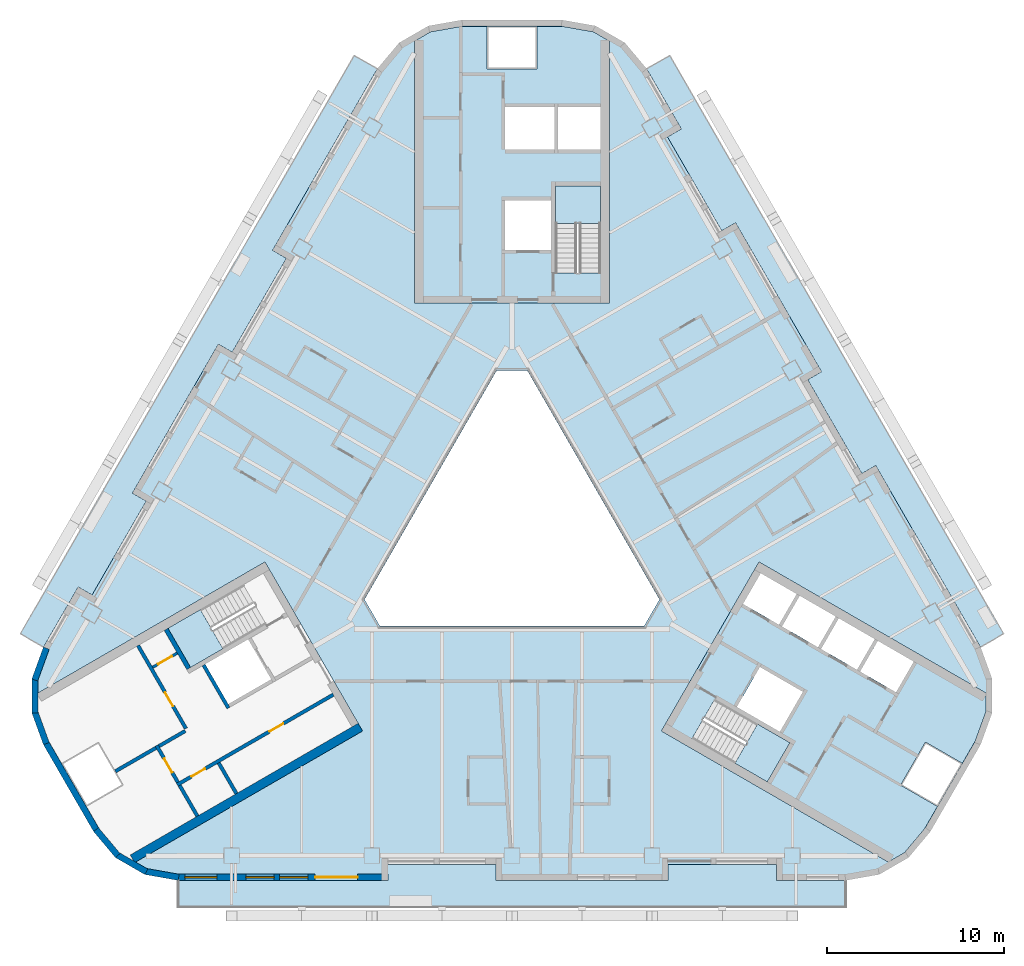
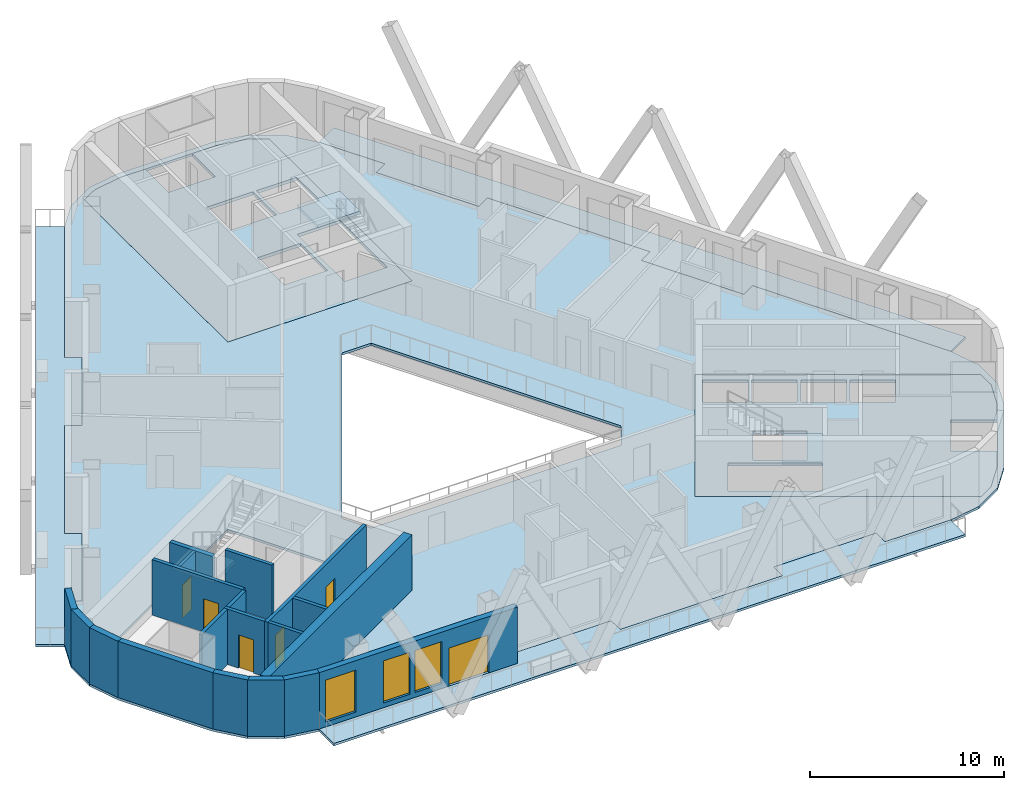
# One storey, part 2 of 14: 19 walls, 9 slabs, 6 doors, 3 windows, 9 openings, 3 elements without a shape of their own.
"""IFC4 building model written with IfcOpenShell, lengths in metres."""

from ifc_helpers import new_model, si_unit, direction, frame, frame_2d, origin, place, context, subcontext, project, spatial, polyline, rectangle, outline, extrude, material, layer, layer_set, type_object, element, fill, aggregate, save


model = new_model("IFC4")

# Units and contexts
model_context = context("Model", 3, precision=1e-05, world=origin(), true_north=direction((0.0, 1.0)))
body_context = subcontext(model_context, "Body", "Model", "MODEL_VIEW")
ifc_project = project(units=[si_unit("LENGTHUNIT", "METRE"), si_unit("AREAUNIT", "SQUARE_METRE"), si_unit("VOLUMEUNIT", "CUBIC_METRE"), si_unit("PLANEANGLEUNIT", "RADIAN"), si_unit("MASSUNIT", "GRAM", prefix="KILO")], contexts=[model_context])

# Site, building, storey
site_placement = place(None, origin())
site = spatial("IfcSite", under=ifc_project, at=site_placement, CompositionType="ELEMENT")
building_placement = place(site_placement, origin())
building = spatial("IfcBuilding", under=site, at=building_placement, Name="Apuvela Tower Hotel", CompositionType="ELEMENT")
storey_placement = place(building_placement, frame((0.0, 0.0, 113.10009765625)))
storey = spatial("IfcBuildingStorey", under=building, at=storey_placement, Name="L26", CompositionType="ELEMENT", Elevation=113.10009765625)

# Slabs
ifc_material_1 = material(Name="Concrete C50/60", Category="concrete")
ifc_layer_1 = layer(ifc_material_1, 0.199951171875)
ifc_layer_set_1 = layer_set([ifc_layer_1], Name="COR-FLOOR-200")
slab_type_1 = type_object("IfcSlabType", Name="COR-FLOOR-200", PredefinedType="FLOOR", material=ifc_layer_set_1)
slab_1_placement = place(storey_placement, frame((0.0, 0.0, -0.2001953125)))
element("IfcSlab", 1, at=slab_1_placement, inside=storey, type_object=slab_type_1, Name="Core floor N", PredefinedType="FLOOR", context=body_context, shape_type="SweptSolid", body=[
    extrude(outline(polyline([(5.5, 27.668212890625), (4.588623046875, 28.1943359375), (2.85498046875, 28.5), (1.39990234375, 28.5), (1.39990234375, 26.10009765625), (-1.39990234375, 26.10009765625), (-1.39990234375, 28.5), (-2.85498046875, 28.5), (-4.588623046875, 28.1943359375), (-5.5, 27.668212890625), (-5.5, 12.89990234375), (5.5, 12.89990234375), (5.5, 27.668212890625)]), holes=[polyline([(5.0, 14.60595703125), (2.449951171875, 14.60595703125), (2.449951171875, 19.5), (5.0, 19.5), (5.0, 14.60595703125)]), polyline([(2.199951171875, 15.89990234375), (-0.39990234375, 15.89990234375), (-0.39990234375, 18.699951171875), (2.199951171875, 18.699951171875), (2.199951171875, 15.89990234375)]), polyline([(5.0, 21.550048828125), (2.60009765625, 21.550048828125), (2.60009765625, 23.949951171875), (5.0, 23.949951171875), (5.0, 21.550048828125)]), polyline([(2.39990234375, 21.550048828125), (-0.39990234375, 21.550048828125), (-0.39990234375, 23.949951171875), (2.39990234375, 23.949951171875), (2.39990234375, 21.550048828125)])]), origin(), (0.0, 0.0, 1.0), 0.2001953125),
])
slab_2_placement = place(storey_placement, frame((0.0, 0.0, -0.2001953125)))
element("IfcSlab", 2, at=slab_2_placement, inside=storey, type_object=slab_type_1, Name="Core floor SE", PredefinedType="FLOOR", context=body_context, shape_type="SweptSolid", body=[
    extrude(outline(polyline([(21.211181640625, -18.59716796875), (22.122802734375, -18.071044921875), (23.254150390625, -16.72265625), (23.981689453125, -15.46240234375), (21.9033203125, -14.262451171875), (23.30322265625, -11.837646484375), (25.381591796875, -13.03759765625), (26.109375, -11.77734375), (26.711181640625, -10.123291015625), (26.711181640625, -9.07080078125), (13.921630859375, -1.68701171875), (8.421630859375, -11.213134765625), (21.211181640625, -18.59716796875)]), holes=[polyline([(13.01806640625, -4.052001953125), (14.01806640625, -2.31982421875), (16.044677734375, -3.489990234375), (15.044677734375, -5.221923828125), (13.01806640625, -4.052001953125)]), polyline([(17.244384765625, -6.491943359375), (15.2177734375, -5.322021484375), (16.2177734375, -3.58984375), (18.244384765625, -4.760009765625), (17.244384765625, -6.491943359375)]), polyline([(14.387451171875, -14.080078125), (10.149169921875, -11.633056640625), (11.42431640625, -9.4248046875), (15.66259765625, -11.871826171875), (14.387451171875, -14.080078125)]), polyline([(12.669921875, -9.855224609375), (13.9697265625, -7.603515625), (16.394775390625, -9.003662109375), (15.0947265625, -11.25537109375), (12.669921875, -9.855224609375)]), polyline([(19.444091796875, -7.761962890625), (17.41748046875, -6.591796875), (18.41748046875, -4.85986328125), (20.444091796875, -6.02978515625), (19.444091796875, -7.761962890625)]), polyline([(21.643798828125, -9.031982421875), (19.6171875, -7.86181640625), (20.6171875, -6.1298828125), (22.643798828125, -7.2998046875), (21.643798828125, -9.031982421875)])]), origin(), (0.0, 0.0, 1.0), 0.2001953125),
])

# Stair, slab
stair_type = type_object("IfcStairType", Name="COR-STAIR-22R", PredefinedType="HALF_TURN_STAIR", material=ifc_material_1)
stair_1_placement = place(storey_placement, origin())
stair_1 = element("IfcStair", 3, at=stair_1_placement, inside=storey, type_object=stair_type, Name="L26 Exit stair ST1", PredefinedType="HALF_TURN_STAIR")
ifc_layer_2 = layer(ifc_material_1, 0.199951171875)
ifc_layer_set_2 = layer_set([ifc_layer_2], Name="COR-LANDING-200")
slab_type_2 = type_object("IfcSlabType", Name="COR-LANDING-200", PredefinedType="LANDING", material=ifc_layer_set_2)
slab_3_placement = place(storey_placement, frame((0.0, 0.0, 1.64990234375)))
slab_3 = element("IfcSlab", 4, at=slab_3_placement, type_object=slab_type_2, Name="ST1 landing 1", PredefinedType="LANDING", context=body_context, shape_type="SweptSolid", body=[
    extrude(outline(polyline([(5.0, 17.39404296875), (5.0, 19.5), (2.449951171875, 19.5), (2.449951171875, 17.39404296875), (5.0, 17.39404296875)])), origin(), (0.0, 0.0, 1.0), 0.199951171875),
])
aggregate(stair_1, [slab_3])

stair_2_placement = place(storey_placement, origin())
stair_2 = element("IfcStair", 5, at=stair_2_placement, inside=storey, type_object=stair_type, Name="L26 Exit stair ST2", PredefinedType="HALF_TURN_STAIR")
slab_4_placement = place(storey_placement, frame((0.0, 0.0, 1.64990234375)))
slab_4 = element("IfcSlab", 6, at=slab_4_placement, type_object=slab_type_2, Name="ST2 landing 1", PredefinedType="LANDING", context=body_context, shape_type="SweptSolid", body=[
    extrude(outline(polyline([(-17.563720703125, -4.366943359375), (-19.387451171875, -5.419921875), (-18.112548828125, -7.628173828125), (-16.28857421875, -6.5751953125), (-17.563720703125, -4.366943359375)])), origin(), (0.0, 0.0, 1.0), 0.199951171875),
])
aggregate(stair_2, [slab_4])

stair_3_placement = place(storey_placement, origin())
stair_3 = element("IfcStair", 7, at=stair_3_placement, inside=storey, type_object=stair_type, Name="L26 Exit stair ST3", PredefinedType="HALF_TURN_STAIR")
slab_5_placement = place(storey_placement, frame((0.0, 0.0, 1.64990234375)))
slab_5 = element("IfcSlab", 8, at=slab_5_placement, type_object=slab_type_2, Name="ST3 landing 1", PredefinedType="LANDING", context=body_context, shape_type="SweptSolid", body=[
    extrude(outline(polyline([(12.563720703125, -13.027099609375), (14.387451171875, -14.080078125), (15.66259765625, -11.871826171875), (13.838623046875, -10.81884765625), (12.563720703125, -13.027099609375)])), origin(), (0.0, 0.0, 1.0), 0.199951171875),
])
aggregate(stair_3, [slab_5])

# Slabs
ifc_material_2 = material(Name="Concrete C40/50, fair-faced", Category="concrete")
ifc_layer_3 = layer(ifc_material_2, 0.14990234375)
ifc_layer_set_3 = layer_set([ifc_layer_3], Name="ENV-BALCONY-150")
slab_type_3 = type_object("IfcSlabType", Name="ENV-BALCONY-150", PredefinedType="FLOOR", material=ifc_layer_set_3)
slab_6_placement = place(storey_placement, frame((0.0, 0.0, -0.150146484375)))
element("IfcSlab", 9, at=slab_6_placement, inside=storey, type_object=slab_type_3, Name="Balcony slab S L26", PredefinedType="FLOOR", context=body_context, shape_type="SweptSolid", body=[
    extrude(outline(polyline([(18.82080078125, -21.135009765625), (-18.82080078125, -21.135009765625), (-18.82080078125, -19.625), (-7.0048828125, -19.625), (-7.0048828125, -18.72509765625), (-0.89501953125, -18.72509765625), (-0.89501953125, -19.625), (8.794921875, -19.625), (8.794921875, -18.72509765625), (14.905029296875, -18.72509765625), (14.905029296875, -19.625), (18.82080078125, -19.625), (18.82080078125, -21.135009765625)])), origin(), (0.0, 0.0, 1.0), 0.150146484375),
])
slab_7_placement = place(storey_placement, frame((0.0, 0.0, -0.150146484375)))
element("IfcSlab", 10, at=slab_7_placement, inside=storey, type_object=slab_type_3, Name="Balcony slab NE L26", PredefinedType="FLOOR", context=body_context, shape_type="SweptSolid", body=[
    extrude(outline(polyline([(17.443359375, 9.037353515625), (12.598388671875, 17.42919921875), (11.81884765625, 16.979248046875), (8.763916015625, 22.2705078125), (9.543212890625, 22.720703125), (7.585205078125, 26.11181640625), (8.89306640625, 26.86669921875), (27.7138671875, -5.731689453125), (26.40625, -6.48681640625), (20.498291015625, 3.74609375), (19.71875, 3.2958984375), (16.663818359375, 8.58740234375), (17.443359375, 9.037353515625)])), origin(), (0.0, 0.0, 1.0), 0.150146484375),
])
slab_8_placement = place(storey_placement, frame((0.0, 0.0, -0.150146484375)))
element("IfcSlab", 11, at=slab_8_placement, inside=storey, type_object=slab_type_3, Name="Balcony slab NW L26", PredefinedType="FLOOR", context=body_context, shape_type="SweptSolid", body=[
    extrude(outline(polyline([(-27.7138671875, -5.731689453125), (-8.89306640625, 26.86669921875), (-7.585205078125, 26.11181640625), (-13.4931640625, 15.87890625), (-12.7138671875, 15.428955078125), (-15.768798828125, 10.1376953125), (-16.548095703125, 10.587646484375), (-21.393310546875, 2.19580078125), (-20.61376953125, 1.745849609375), (-23.668701171875, -3.545654296875), (-24.4482421875, -3.095703125), (-26.40625, -6.48681640625), (-27.7138671875, -5.731689453125)])), origin(), (0.0, 0.0, 1.0), 0.150146484375),
])
ifc_material_3 = material(Name="Concrete C35/45", Category="concrete")
ifc_layer_4 = layer(ifc_material_3, 0.14990234375)
ifc_layer_set_4 = layer_set([ifc_layer_4], Name="STR-SLAB 150 floor Concrete C35/45")
slab_type_4 = type_object("IfcSlabType", Name="STR-SLAB 150 floor Concrete C35/45", PredefinedType="FLOOR", material=ifc_layer_set_4)
slab_9_placement = place(storey_placement, frame((0.0, 0.0, -0.150146484375)))
element("IfcSlab", 12, at=slab_9_placement, inside=storey, type_object=slab_type_4, Name="Floor slab S4 L26", PredefinedType="FLOOR", context=body_context, shape_type="SweptSolid", body=[
    extrude(outline(polyline([(-6.3642578125, 27.5732421875), (-4.710205078125, 28.5283203125), (-2.8291015625, 28.860107421875), (2.8291015625, 28.860107421875), (4.710205078125, 28.5283203125), (6.3642578125, 27.5732421875), (7.59228515625, 26.110107421875), (9.550048828125, 22.71875), (8.770751953125, 22.268798828125), (11.82080078125, 16.986083984375), (12.60009765625, 17.43603515625), (17.4501953125, 9.035400390625), (16.670654296875, 8.58544921875), (19.720703125, 3.302734375), (20.5, 3.752685546875), (26.407958984375, -6.47998046875), (27.061279296875, -8.27490234375), (27.061279296875, -10.18505859375), (26.407958984375, -11.97998046875), (23.5791015625, -16.8798828125), (22.351318359375, -18.34326171875), (20.697021484375, -19.29833984375), (18.81591796875, -19.6298828125), (14.89990234375, -19.6298828125), (14.89990234375, -18.72998046875), (8.800048828125, -18.72998046875), (8.800048828125, -19.6298828125), (-0.89990234375, -19.6298828125), (-0.89990234375, -18.72998046875), (-7.0, -18.72998046875), (-7.0, -19.6298828125), (-18.81591796875, -19.6298828125), (-20.697021484375, -19.29833984375), (-22.351318359375, -18.34326171875), (-23.5791015625, -16.8798828125), (-26.407958984375, -11.97998046875), (-27.061279296875, -10.18505859375), (-27.061279296875, -8.27490234375), (-26.407958984375, -6.47998046875), (-24.4501953125, -3.088623046875), (-23.670654296875, -3.538818359375), (-20.62060546875, 1.743896484375), (-21.400146484375, 2.194091796875), (-16.550048828125, 10.594482421875), (-15.7705078125, 10.14453125), (-12.720703125, 15.42724609375), (-13.5, 15.877197265625), (-7.59228515625, 26.110107421875), (-6.3642578125, 27.5732421875)]), holes=[polyline([(0.865966796875, 9.10009765625), (-0.865966796875, 9.10009765625), (-8.313720703125, -3.800048828125), (-7.44775390625, -5.300048828125), (7.44775390625, -5.300048828125), (8.313720703125, -3.800048828125), (0.865966796875, 9.10009765625)]), polyline([(-5.5, 12.89990234375), (-5.5, 27.668212890625), (-4.588623046875, 28.1943359375), (-2.85498046875, 28.5), (2.85498046875, 28.5), (4.588623046875, 28.1943359375), (5.5, 27.668212890625), (5.5, 12.89990234375), (-5.5, 12.89990234375)]), polyline([(-8.421630859375, -11.213134765625), (-21.211181640625, -18.59716796875), (-22.122802734375, -18.071044921875), (-23.254150390625, -16.72265625), (-26.109375, -11.77734375), (-26.711181640625, -10.123291015625), (-26.711181640625, -9.07080078125), (-13.921630859375, -1.68701171875), (-8.421630859375, -11.213134765625)]), polyline([(13.921630859375, -1.68701171875), (26.711181640625, -9.07080078125), (26.711181640625, -10.123291015625), (26.109375, -11.77734375), (23.254150390625, -16.72265625), (22.122802734375, -18.071044921875), (21.211181640625, -18.59716796875), (8.421630859375, -11.213134765625), (13.921630859375, -1.68701171875)])]), origin(), (0.0, 0.0, 1.0), 0.150146484375),
])

# Wall
ifc_layer_5 = layer(ifc_material_1, 0.5)
ifc_layer_set_5 = layer_set([ifc_layer_5], Name="COR-WALL-CORE-500")
wall_type_1 = type_object("IfcWallType", Name="COR-WALL-CORE-500", PredefinedType="SHEAR", material=ifc_layer_set_5)
wall_1_placement = place(storey_placement, frame((-8.546630859375, -10.99658203125, 0.0), z_axis=(0.0, 0.0, 1.0), x_axis=(-0.866025009528, -0.500000682871, 0.0)))
element("IfcWall", 13, at=wall_1_placement, inside=storey, type_object=wall_type_1, Name="Core wall SW", PredefinedType="SHEAR", context=body_context, shape_type="SweptSolid", body=[
    extrude(rectangle(XDim=14.8369140625, YDim=0.5, at=frame_2d((7.41845703125, 0.0))), origin(), (0.0, 0.0, 1.0), 3.5),
])

# Wall, opening, door
ifc_material_4 = material(Name="Blockwork 150 mm plastered", Category="masonry")
ifc_layer_6 = layer(ifc_material_4, 0.14990234375)
ifc_layer_set_6 = layer_set([ifc_layer_6], Name="COR-WALL-PART-150")
wall_type_2 = type_object("IfcWallType", Name="COR-WALL-PART-150", PredefinedType="PARTITIONING", material=ifc_layer_set_6)
wall_2_placement = place(storey_placement, frame((-18.866455078125, -6.822265625, 0.0), z_axis=(0.0, 0.0, 1.0), x_axis=(-0.866028054938, -0.499995408039, 0.0)))
wall_2 = element("IfcWall", 14, at=wall_2_placement, inside=storey, type_object=wall_type_2, Name="Partition SW", PredefinedType="PARTITIONING", context=body_context, shape_type="SweptSolid", body=[
    extrude(rectangle(XDim=1.60009765625, YDim=0.14990234375, at=frame_2d((0.800048828125, 0.0))), origin(), (0.0, 0.0, 1.0), 3.5),
])
opening_1_placement = place(wall_2_placement, frame((0.35009765625, 0.0, 0.0)))
opening_1 = element("IfcOpeningElement", 15, at=opening_1_placement, cuts=wall_2, Name="Opening W-RD", PredefinedType="OPENING", context=body_context, shape_type="SweptSolid", body=[
    extrude(rectangle(XDim=0.89990234375, YDim=2.10009765625, at=frame_2d((0.449951171875, 1.050048828125))), frame((0.0, 0.0849609375, 0.0), z_axis=(0.0, -1.0, 0.0), x_axis=(1.0, 0.0, 0.0)), (0.0, 0.0, 1.0), 0.169921875),
])
ifc_material_5 = material(Name="Steel access door, powder coated", Category="steel")
door_type_1 = type_object("IfcDoorType", Name="COR-RD-900", OperationType="NOTDEFINED", PredefinedType="DOOR", material=ifc_material_5)
door_1_placement = place(opening_1_placement, frame((0.89990234375, 0.0, 0.0), z_axis=(0.0, 0.0, 1.0), x_axis=(-1.0, 0.0, 0.0)))
door_1 = element("IfcDoor", 16, at=door_1_placement, inside=storey, type_object=door_type_1, Name="Riser door W-RD", OperationType="SINGLE_SWING_RIGHT", OverallHeight=2.10009765625, OverallWidth=0.89990234375, PredefinedType="DOOR", context=body_context, shape_type="SweptSolid", body=[
    extrude(rectangle(XDim=0.89990234375, YDim=2.10009765625, at=frame_2d((0.449951171875, 1.050048828125))), frame((0.0, 0.02490234375, 0.0), z_axis=(0.0, -1.0, 0.0), x_axis=(1.0, 0.0, 0.0)), (0.0, 0.0, 1.0), 0.050048828125),
])
fill(opening_1, door_1)

ifc_material_6 = material(Name="Blockwork 200 mm plastered", Category="masonry")
ifc_layer_7 = layer(ifc_material_6, 0.199951171875)
ifc_layer_set_7 = layer_set([ifc_layer_7], Name="COR-WALL-PART-200")
wall_type_3 = type_object("IfcWallType", Name="COR-WALL-PART-200", PredefinedType="PARTITIONING", material=ifc_layer_set_7)
wall_3_placement = place(storey_placement, frame((-21.076171875, -6.39501953125, 0.0), z_axis=(0.0, 0.0, 1.0), x_axis=(0.50001468107, -0.866016927499, 0.0)))
wall_3 = element("IfcWall", 17, at=wall_3_placement, inside=storey, type_object=wall_type_3, Name="Partition SW", PredefinedType="PARTITIONING", context=body_context, shape_type="SweptSolid", body=[
    extrude(rectangle(XDim=5.399658203125, YDim=0.199951171875, at=frame_2d((2.69970703125, 0.0))), origin(), (0.0, 0.0, 1.0), 3.5),
])
opening_2_placement = place(wall_3_placement, frame((3.050048828125, 0.0, 0.0)))
opening_2 = element("IfcOpeningElement", 18, at=opening_2_placement, cuts=wall_3, Name="Opening W-RS1", PredefinedType="OPENING", context=body_context, shape_type="SweptSolid", body=[
    extrude(rectangle(XDim=0.89990234375, YDim=2.10009765625, at=frame_2d((0.449951171875, 1.050048828125))), frame((0.0, 0.10986328125, 0.0), z_axis=(0.0, -1.0, 0.0), x_axis=(1.0, 0.0, 0.0)), (0.0, 0.0, 1.0), 0.219970703125),
])
ifc_material_7 = material(Name="Steel fire door, powder coated", Category="steel")
door_type_2 = type_object("IfcDoorType", Name="COR-DR-900", OperationType="NOTDEFINED", PredefinedType="DOOR", material=ifc_material_7)
door_2_placement = place(opening_2_placement, frame((0.89990234375, 0.0, 0.0), z_axis=(0.0, 0.0, 1.0), x_axis=(-1.0, 0.0, 0.0)))
door_2 = element("IfcDoor", 19, at=door_2_placement, inside=storey, type_object=door_type_2, Name="Store door W-RS1", OperationType="SINGLE_SWING_LEFT", OverallHeight=2.10009765625, OverallWidth=0.89990234375, PredefinedType="DOOR", context=body_context, shape_type="SweptSolid", body=[
    extrude(rectangle(XDim=0.89990234375, YDim=2.10009765625, at=frame_2d((0.449951171875, 1.050048828125))), frame((0.0, 0.02490234375, 0.0), z_axis=(0.0, -1.0, 0.0), x_axis=(1.0, 0.0, 0.0)), (0.0, 0.0, 1.0), 0.050048828125),
])
fill(opening_2, door_2)

# Wall
ifc_layer_8 = layer(ifc_material_1, 0.199951171875)
ifc_layer_set_8 = layer_set([ifc_layer_8], Name="COR-WALL-SHAFT-200")
wall_type_4 = type_object("IfcWallType", Name="COR-WALL-SHAFT-200", PredefinedType="SHEAR", material=ifc_layer_set_8)
wall_4_placement = place(storey_placement, frame((-17.38134765625, -7.49462890625, 0.0), z_axis=(0.0, 0.0, 1.0), x_axis=(0.500011755427, -0.866018616679, 0.0)))
element("IfcWall", 20, at=wall_4_placement, inside=storey, type_object=wall_type_4, Name="Shaft wall SW", PredefinedType="SHEAR", context=body_context, shape_type="SweptSolid", body=[
    extrude(rectangle(XDim=2.80029296875, YDim=0.199951171875, at=frame_2d((1.400146484375, 0.0))), origin(), (0.0, 0.0, 1.0), 3.5),
])

# Wall, openings, doors
wall_5_placement = place(storey_placement, frame((-10.068115234375, -9.16162109375, 0.0), z_axis=(0.0, 0.0, 1.0), x_axis=(-0.866032725843, -0.499987317609, 0.0)))
wall_5 = element("IfcWall", 21, at=wall_5_placement, inside=storey, type_object=wall_type_4, Name="Shaft wall SW", PredefinedType="SHEAR", context=body_context, shape_type="SweptSolid", body=[
    extrude(rectangle(XDim=10.159912109375, YDim=0.199951171875, at=frame_2d((5.080078125, 0.0))), origin(), (0.0, 0.0, 1.0), 3.5),
])
opening_3_placement = place(wall_5_placement, frame((3.260009765625, 0.0, 0.0)))
opening_3 = element("IfcOpeningElement", 22, at=opening_3_placement, cuts=wall_5, Name="Opening W-RE1", PredefinedType="OPENING", context=body_context, shape_type="SweptSolid", body=[
    extrude(rectangle(XDim=0.89990234375, YDim=2.10009765625, at=frame_2d((0.449951171875, 1.050048828125))), frame((0.0, 0.10986328125, 0.0), z_axis=(0.0, -1.0, 0.0), x_axis=(1.0, 0.0, 0.0)), (0.0, 0.0, 1.0), 0.219970703125),
])
opening_4_placement = place(wall_5_placement, frame((8.340087890625, 0.0, 0.0)))
opening_4 = element("IfcOpeningElement", 23, at=opening_4_placement, cuts=wall_5, Name="Opening W-RE4", PredefinedType="OPENING", context=body_context, shape_type="SweptSolid", body=[
    extrude(rectangle(XDim=0.89990234375, YDim=2.10009765625, at=frame_2d((0.449951171875, 1.050048828125))), frame((0.0, 0.10986328125, 0.0), z_axis=(0.0, -1.0, 0.0), x_axis=(1.0, 0.0, 0.0)), (0.0, 0.0, 1.0), 0.219970703125),
])
door_3_placement = place(opening_3_placement, origin())
door_3 = element("IfcDoor", 24, at=door_3_placement, inside=storey, type_object=door_type_2, Name="Store door W-RE1", OperationType="SINGLE_SWING_LEFT", OverallHeight=2.10009765625, OverallWidth=0.89990234375, PredefinedType="DOOR", context=body_context, shape_type="SweptSolid", body=[
    extrude(rectangle(XDim=0.89990234375, YDim=2.10009765625, at=frame_2d((0.449951171875, 1.050048828125))), frame((0.0, 0.02490234375, 0.0), z_axis=(0.0, -1.0, 0.0), x_axis=(1.0, 0.0, 0.0)), (0.0, 0.0, 1.0), 0.050048828125),
])
fill(opening_3, door_3)
door_4_placement = place(opening_4_placement, origin())
door_4 = element("IfcDoor", 25, at=door_4_placement, inside=storey, type_object=door_type_2, Name="Store door W-RE4", OperationType="SINGLE_SWING_RIGHT", OverallHeight=2.10009765625, OverallWidth=0.89990234375, PredefinedType="DOOR", context=body_context, shape_type="SweptSolid", body=[
    extrude(rectangle(XDim=0.89990234375, YDim=2.10009765625, at=frame_2d((0.449951171875, 1.050048828125))), frame((0.0, 0.02490234375, 0.0), z_axis=(0.0, -1.0, 0.0), x_axis=(1.0, 0.0, 0.0)), (0.0, 0.0, 1.0), 0.050048828125),
])
fill(opening_4, door_4)

# Wall, opening, door
wall_6_placement = place(storey_placement, frame((-20.030517578125, -12.0263671875, 0.0), z_axis=(0.0, 0.0, 1.0), x_axis=(0.500033551112, -0.866006032174, 0.0)))
wall_6 = element("IfcWall", 26, at=wall_6_placement, inside=storey, type_object=wall_type_4, Name="Shaft wall SW", PredefinedType="SHEAR", context=body_context, shape_type="SweptSolid", body=[
    extrude(rectangle(XDim=2.400146484375, YDim=0.199951171875, at=frame_2d((1.2001953125, 0.0))), origin(), (0.0, 0.0, 1.0), 3.5),
])
opening_5_placement = place(wall_6_placement, frame((0.85009765625, 0.0, 0.0)))
opening_5 = element("IfcOpeningElement", 27, at=opening_5_placement, cuts=wall_6, Name="Opening W-REP", PredefinedType="OPENING", context=body_context, shape_type="SweptSolid", body=[
    extrude(rectangle(XDim=0.89990234375, YDim=2.10009765625, at=frame_2d((0.449951171875, 1.050048828125))), frame((0.0, 0.10986328125, 0.0), z_axis=(0.0, -1.0, 0.0), x_axis=(1.0, 0.0, 0.0)), (0.0, 0.0, 1.0), 0.219970703125),
])
door_5_placement = place(opening_5_placement, frame((0.89990234375, 0.0, 0.0), z_axis=(0.0, 0.0, 1.0), x_axis=(-1.0, 0.0, 0.0)))
door_5 = element("IfcDoor", 28, at=door_5_placement, inside=storey, type_object=door_type_2, Name="Store door W-REP", OperationType="SINGLE_SWING_LEFT", OverallHeight=2.10009765625, OverallWidth=0.89990234375, PredefinedType="DOOR", context=body_context, shape_type="SweptSolid", body=[
    extrude(rectangle(XDim=0.89990234375, YDim=2.10009765625, at=frame_2d((0.449951171875, 1.050048828125))), frame((0.0, 0.02490234375, 0.0), z_axis=(0.0, -1.0, 0.0), x_axis=(1.0, 0.0, 0.0)), (0.0, 0.0, 1.0), 0.050048828125),
])
fill(opening_5, door_5)

# Walls
wall_7_placement = place(storey_placement, frame((-18.412841796875, -11.2080078125, 0.0), z_axis=(0.0, 0.0, 1.0), x_axis=(-0.866038183914, -0.499977863513, 0.0)))
element("IfcWall", 29, at=wall_7_placement, inside=storey, type_object=wall_type_4, Name="Shaft wall SW", PredefinedType="SHEAR", context=body_context, shape_type="SweptSolid", body=[
    extrude(rectangle(XDim=1.7099609375, YDim=0.199951171875, at=frame_2d((0.85498046875, 0.0))), origin(), (0.0, 0.0, 1.0), 3.5),
])
for number, where, z_axis, x_axis, name in (
    (30, (-16.530517578125, -13.008056640625, 0.0), (0.0, 0.0, 1.0), (0.50002537861, -0.866010750942, 0.0), "Shaft wall SW"),
    (31, (-18.73046875, -14.278076171875, 0.0), (0.0, 0.0, 1.0), (0.50002537861, -0.866010750942, 0.0), "Shaft wall SW"),
):
    element("IfcWall", number, at=place(storey_placement, frame(where, z_axis=z_axis, x_axis=x_axis)), inside=storey, type_object=wall_type_4, Name=name, PredefinedType="SHEAR", context=body_context, shape_type="SweptSolid", body=[
        extrude(rectangle(XDim=2.0, YDim=0.199951171875, at=frame_2d((1.0, 0.0))), origin(), (0.0, 0.0, 1.0), 3.5),
    ])
wall_8_placement = place(storey_placement, frame((-20.06689453125, -12.1630859375, 0.0), z_axis=(0.0, 0.0, 1.0), x_axis=(-0.866060851709, -0.499938597367, 0.0)))
element("IfcWall", 32, at=wall_8_placement, inside=storey, type_object=wall_type_4, Name="Shaft wall SW", PredefinedType="SHEAR", context=body_context, shape_type="SweptSolid", body=[
    extrude(rectangle(XDim=2.639892578125, YDim=0.199951171875, at=frame_2d((1.31982421875, 0.0))), origin(), (0.0, 0.0, 1.0), 3.5),
])
ifc_layer_9 = layer(ifc_material_1, 0.25)
ifc_layer_set_9 = layer_set([ifc_layer_9], Name="COR-WALL-STAIR-250")
wall_type_5 = type_object("IfcWallType", Name="COR-WALL-STAIR-250", PredefinedType="SHEAR", material=ifc_layer_set_9)
wall_9_placement = place(storey_placement, frame((-19.49560546875, -5.482421875, 0.0), z_axis=(0.0, 0.0, 1.0), x_axis=(0.499990435942, -0.866030925526, 0.0)))
element("IfcWall", 33, at=wall_9_placement, inside=storey, type_object=wall_type_5, Name="Stair wall SW", PredefinedType="SHEAR", context=body_context, shape_type="SweptSolid", body=[
    extrude(rectangle(XDim=2.5498046875, YDim=0.25, at=frame_2d((1.27490234375, 0.0))), origin(), (0.0, 0.0, 1.0), 3.5),
])
ifc_material_8 = material(Name="Concrete C40/50, dark pigmented precast panel", Category="concrete")
ifc_layer_10 = layer(ifc_material_8, 0.35009765625)
ifc_layer_set_10 = layer_set([ifc_layer_10], Name="ENV-WALL-350")
wall_type_6 = type_object("IfcWallType", Name="ENV-WALL-350", PredefinedType="SOLIDWALL", material=ifc_layer_set_10)
for number, where, z_axis, x_axis, name in (
    (34, (-26.24365234375, -6.539794921875, 0.0), (0.0, 0.0, 1.0), (-0.342030395486, -0.939688889242, 0.0), "External wall L26-10"),
    (35, (-26.88623046875, -8.27490234375, 0.0), (0.0, 0.0, 1.0), (0.0, -1.0, 0.0), "External wall L26-11"),
    (36, (-26.89697265625, -10.125244140625, 0.0), (0.0, 0.0, 1.0), (0.342030395486, -0.939688889242, 0.0), "External wall L26-12"),
):
    element("IfcWall", number, at=place(storey_placement, frame(where, z_axis=z_axis, x_axis=x_axis)), inside=storey, type_object=wall_type_6, Name=name, PredefinedType="SOLIDWALL", context=body_context, shape_type="SweptSolid", body=[
        extrude(rectangle(XDim=1.91015625, YDim=0.35009765625, at=frame_2d((0.955078125, 0.0))), origin(), (0.0, 0.0, 1.0), 3.5498046875),
    ])
wall_10_placement = place(storey_placement, frame((-26.256591796875, -11.892578125, 0.0), z_axis=(0.0, 0.0, 1.0), x_axis=(0.500018773155, -0.866014564827, 0.0)))
element("IfcWall", 37, at=wall_10_placement, inside=storey, type_object=wall_type_6, Name="External wall L26-13", PredefinedType="SOLIDWALL", context=body_context, shape_type="SweptSolid", body=[
    extrude(rectangle(XDim=5.657958984375, YDim=0.35009765625, at=frame_2d((2.8291015625, 0.0))), origin(), (0.0, 0.0, 1.0), 3.5498046875),
])
for number, where, z_axis, x_axis, name in (
    (38, (-23.44482421875, -16.767578125, 0.0), (0.0, 0.0, 1.0), (0.642733291068, -0.76609001857, 0.0), "External wall L26-14"),
    (39, (-22.263671875, -18.191650390625, 0.0), (0.0, 0.0, 1.0), (0.866000389056, -0.500043324278, 0.0), "External wall L26-15"),
):
    element("IfcWall", number, at=place(storey_placement, frame(where, z_axis=z_axis, x_axis=x_axis)), inside=storey, type_object=wall_type_6, Name=name, PredefinedType="SOLIDWALL", context=body_context, shape_type="SweptSolid", body=[
        extrude(rectangle(XDim=1.909912109375, YDim=0.35009765625, at=frame_2d((0.955078125, 0.0))), origin(), (0.0, 0.0, 1.0), 3.5498046875),
    ])
wall_11_placement = place(storey_placement, frame((-20.66650390625, -19.1259765625, 0.0), z_axis=(0.0, 0.0, 1.0), x_axis=(0.984798995425, -0.173697837091, 0.0)))
element("IfcWall", 40, at=wall_11_placement, inside=storey, type_object=wall_type_6, Name="External wall L26-16", PredefinedType="SOLIDWALL", context=body_context, shape_type="SweptSolid", body=[
    extrude(rectangle(XDim=1.91015625, YDim=0.35009765625, at=frame_2d((0.955078125, 0.0))), origin(), (0.0, 0.0, 1.0), 3.5498046875),
])

# Wall, openings, door, windows
wall_12_placement = place(storey_placement, frame((-18.81591796875, -19.455078125, 0.0), z_axis=(0.0, 0.0, 1.0), x_axis=(1.0, 0.0, 0.0)))
wall_12 = element("IfcWall", 41, at=wall_12_placement, inside=storey, type_object=wall_type_6, Name="External wall L26-17", PredefinedType="SOLIDWALL", context=body_context, shape_type="SweptSolid", body=[
    extrude(rectangle(XDim=11.81591796875, YDim=0.35009765625, at=frame_2d((5.907958984375, 0.0))), origin(), (0.0, 0.0, 1.0), 3.5498046875),
])
opening_6_placement = place(wall_12_placement, frame((0.380615234375, 0.0, 0.300048828125)))
opening_6 = element("IfcOpeningElement", 42, at=opening_6_placement, cuts=wall_12, Name="Opening WN18", PredefinedType="OPENING", context=body_context, shape_type="SweptSolid", body=[
    extrude(rectangle(XDim=1.800048828125, YDim=2.64990234375, at=frame_2d((0.89990234375, 1.324951171875))), frame((0.0, 0.18505859375, 0.0), z_axis=(0.0, -1.0, 0.0), x_axis=(1.0, 0.0, 0.0)), (0.0, 0.0, 1.0), 0.3701171875),
])
opening_7_placement = place(wall_12_placement, frame((7.71630859375, 0.0, 0.0)))
opening_7 = element("IfcOpeningElement", 43, at=opening_7_placement, cuts=wall_12, Name="Opening BD24", PredefinedType="OPENING", context=body_context, shape_type="SweptSolid", body=[
    extrude(rectangle(XDim=2.39990234375, YDim=2.39990234375, at=frame_2d((1.199951171875, 1.199951171875))), frame((0.0, 0.18505859375, 0.0), z_axis=(0.0, -1.0, 0.0), x_axis=(1.0, 0.0, 0.0)), (0.0, 0.0, 1.0), 0.3701171875),
])
opening_8_placement = place(wall_12_placement, frame((3.816162109375, 0.0, 0.300048828125)))
opening_8 = element("IfcOpeningElement", 44, at=opening_8_placement, cuts=wall_12, Name="Opening WN16", PredefinedType="OPENING", context=body_context, shape_type="SweptSolid", body=[
    extrude(rectangle(XDim=1.60009765625, YDim=2.64990234375, at=frame_2d((0.800048828125, 1.324951171875))), frame((0.0, 0.18505859375, 0.0), z_axis=(0.0, -1.0, 0.0), x_axis=(1.0, 0.0, 0.0)), (0.0, 0.0, 1.0), 0.3701171875),
])
opening_9_placement = place(wall_12_placement, frame((5.71630859375, 0.0, 0.300048828125)))
opening_9 = element("IfcOpeningElement", 45, at=opening_9_placement, cuts=wall_12, Name="Opening WN16", PredefinedType="OPENING", context=body_context, shape_type="SweptSolid", body=[
    extrude(rectangle(XDim=1.60009765625, YDim=2.64990234375, at=frame_2d((0.800048828125, 1.324951171875))), frame((0.0, 0.18505859375, 0.0), z_axis=(0.0, -1.0, 0.0), x_axis=(1.0, 0.0, 0.0)), (0.0, 0.0, 1.0), 0.3701171875),
])
ifc_material_9 = material(Name="Aluminium 6063-T6, dark bronze anodised frame with dark tinted laminated glass", Category="aluminium")
door_type_3 = type_object("IfcDoorType", Name="ENV-DOOR-BALCONY-2400x2400", OperationType="SLIDING_TO_LEFT", PredefinedType="DOOR", material=ifc_material_9)
door_6_placement = place(opening_7_placement, frame((2.39990234375, 0.0, 0.0), z_axis=(0.0, 0.0, 1.0), x_axis=(-1.0, 0.0, 0.0)))
door_6 = element("IfcDoor", 46, at=door_6_placement, inside=storey, type_object=door_type_3, Name="Balcony door BD24", OperationType="SLIDING_TO_LEFT", OverallHeight=2.39990234375, OverallWidth=2.39990234375, PredefinedType="DOOR", context=body_context, shape_type="SweptSolid", body=[
    extrude(rectangle(XDim=2.39990234375, YDim=2.39990234375, at=frame_2d((1.199951171875, 1.199951171875))), frame((0.0, 0.02490234375, 0.0), z_axis=(0.0, -1.0, 0.0), x_axis=(1.0, 0.0, 0.0)), (0.0, 0.0, 1.0), 0.050048828125),
])
fill(opening_7, door_6)
ifc_material_10 = material(Name="Glass, dark tinted laminated insulated glazing unit", Category="glass")
window_type_1 = type_object("IfcWindowType", Name="ENV-WIN-1600x2650", PartitioningType="SINGLE_PANEL", PredefinedType="WINDOW", material=ifc_material_10)
window_1_placement = place(opening_8_placement, origin())
window_1 = element("IfcWindow", 47, at=window_1_placement, inside=storey, type_object=window_type_1, Name="Window WN16", OverallHeight=2.64990234375, OverallWidth=1.60009765625, PartitioningType="SINGLE_PANEL", PredefinedType="WINDOW", context=body_context, shape_type="SweptSolid", body=[
    extrude(rectangle(XDim=1.60009765625, YDim=2.64990234375, at=frame_2d((0.800048828125, 1.324951171875))), frame((0.0, 0.030029296875, 0.0), z_axis=(0.0, -1.0, 0.0), x_axis=(1.0, 0.0, 0.0)), (0.0, 0.0, 1.0), 0.06005859375),
])
fill(opening_8, window_1)
window_2_placement = place(opening_9_placement, origin())
window_2 = element("IfcWindow", 48, at=window_2_placement, inside=storey, type_object=window_type_1, Name="Window WN16", OverallHeight=2.64990234375, OverallWidth=1.60009765625, PartitioningType="SINGLE_PANEL", PredefinedType="WINDOW", context=body_context, shape_type="SweptSolid", body=[
    extrude(rectangle(XDim=1.60009765625, YDim=2.64990234375, at=frame_2d((0.800048828125, 1.324951171875))), frame((0.0, 0.030029296875, 0.0), z_axis=(0.0, -1.0, 0.0), x_axis=(1.0, 0.0, 0.0)), (0.0, 0.0, 1.0), 0.06005859375),
])
fill(opening_9, window_2)
window_type_2 = type_object("IfcWindowType", Name="ENV-WIN-1800x2650", PartitioningType="SINGLE_PANEL", PredefinedType="WINDOW", material=ifc_material_10)
window_3_placement = place(opening_6_placement, origin())
window_3 = element("IfcWindow", 49, at=window_3_placement, inside=storey, type_object=window_type_2, Name="Window WN18", OverallHeight=2.64990234375, OverallWidth=1.800048828125, PartitioningType="SINGLE_PANEL", PredefinedType="WINDOW", context=body_context, shape_type="SweptSolid", body=[
    extrude(rectangle(XDim=1.800048828125, YDim=2.64990234375, at=frame_2d((0.89990234375, 1.324951171875))), frame((0.0, 0.030029296875, 0.0), z_axis=(0.0, -1.0, 0.0), x_axis=(1.0, 0.0, 0.0)), (0.0, 0.0, 1.0), 0.06005859375),
])
fill(opening_6, window_3)

save(model, "model.ifc")
